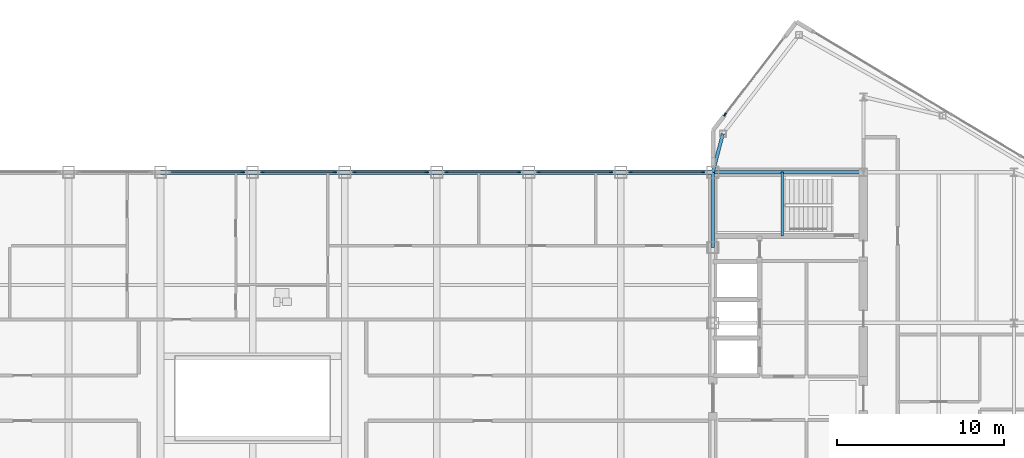
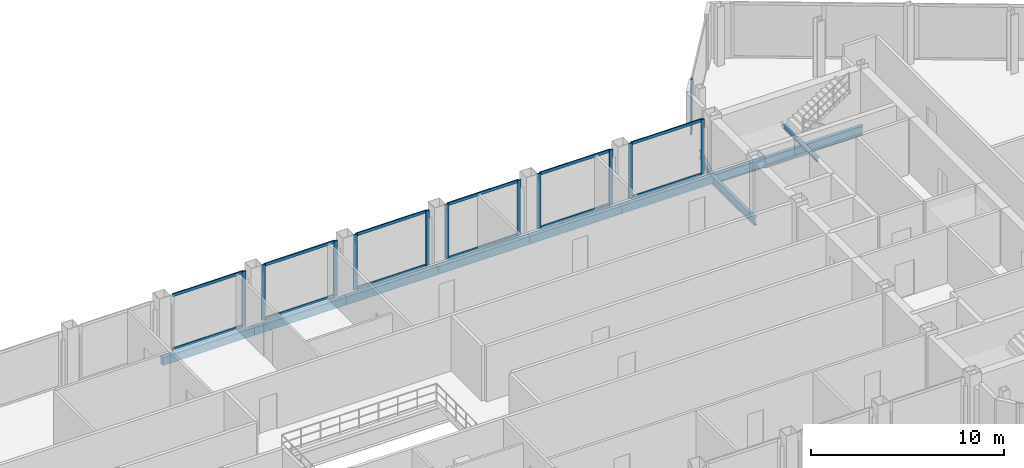
# One storey, part 16 of 28: 24 members, 10 beams, 7 elements without a shape of their own.
"""IFC4 building model written with IfcOpenShell, lengths in metres."""

from ifc_helpers import new_model, si_unit, direction, frame, origin, origin_2d, place, context, subcontext, project, spatial, rectangle, hollow_rectangle, i_section, extrude, source, transform, mapped, material, layer, layer_set, material_profile, profile_set, type_object, type_shapes, element, aggregate, save


model = new_model("IFC4")

# Units and contexts
model_context = context("Model", 3, precision=1e-05, world=origin(), true_north=direction((0.0, 1.0)))
body_context = subcontext(model_context, "Body", "Model", "MODEL_VIEW")
ifc_project = project(units=[si_unit("LENGTHUNIT", "METRE"), si_unit("AREAUNIT", "SQUARE_METRE"), si_unit("VOLUMEUNIT", "CUBIC_METRE"), si_unit("PLANEANGLEUNIT", "RADIAN"), si_unit("MASSUNIT", "GRAM", prefix="KILO")], contexts=[model_context])

# Site, building, storey
site_placement = place(None, origin())
site = spatial("IfcSite", under=ifc_project, at=site_placement, CompositionType="ELEMENT")
building_placement = place(site_placement, origin())
building = spatial("IfcBuilding", under=site, at=building_placement, Name="Seokmaru Belvedere", CompositionType="ELEMENT")
storey_placement = place(building_placement, frame((0.0, 0.0, 265.64990234375)))
storey = spatial("IfcBuildingStorey", under=building, at=storey_placement, Name="L70", CompositionType="ELEMENT", Elevation=265.64990234375)

# Beams
ifc_material_1 = material(Name="Steel SM355 (355 MPa)", Category="steel")
ifc_material_profile_1 = material_profile(ifc_material_1, i_section(OverallWidth=0.199951171875, OverallDepth=0.5, WebThickness=0.010009765625, FlangeThickness=0.01611328125, at=origin_2d()), Name="H-500x200x10x16")
ifc_profile_set_1 = profile_set([ifc_material_profile_1], Name="Steel SM355 (355 MPa)")
beam_type_1 = type_object("IfcBeamType", Name="Perimeter Spandrel Beam H-500", PredefinedType="SPANDREL", material=ifc_profile_set_1)
shared_shape_1 = source(origin(), body_context, "Body", "SweptSolid", [
    extrude(i_section(OverallWidth=0.199951171875, OverallDepth=0.5, WebThickness=0.010009765625, FlangeThickness=0.01611328125, at=origin_2d()), origin(), (0.0, 0.0, 1.0), 4.5),
])
beam_1_placement = place(storey_placement, frame((27.5, 9.0, -0.469970703125), z_axis=(0.0, 1.0, 0.0), x_axis=(-1.0, 0.0, 0.0)))
element("IfcBeam", 1, at=beam_1_placement, inside=storey, type_object=beam_type_1, Name="L70 E Portal Spine Spandrel 5", PredefinedType="SPANDREL", context=body_context, shape_type="MappedRepresentation", body=[
    mapped(shared_shape_1, transform((0.0, 0.0, 0.0), scale=1.0)),
])
ifc_material_profile_2 = material_profile(ifc_material_1, i_section(OverallWidth=0.199951171875, OverallDepth=0.60009765625, WebThickness=0.010986328125, FlangeThickness=0.01708984375, at=origin_2d()), Name="H-600x200x11x17")
ifc_profile_set_2 = profile_set([ifc_material_profile_2], Name="Steel SM355 (355 MPa)")
beam_type_2 = type_object("IfcBeamType", Name="Primary Floor Girder H-600", PredefinedType="BEAM", material=ifc_profile_set_2)
shared_shape_2 = source(origin(), body_context, "Body", "SweptSolid", [
    extrude(i_section(OverallWidth=0.199951171875, OverallDepth=0.60009765625, WebThickness=0.010986328125, FlangeThickness=0.01708984375, at=origin_2d()), origin(), (0.0, 0.0, 1.0), 9.0),
])
type_shapes(beam_type_2, [shared_shape_2])
beam_2_placement = place(storey_placement, frame((27.5, 13.5, -0.52001953125), z_axis=(1.0, 0.0, 0.0), x_axis=(0.0, 1.0, 0.0)))
element("IfcBeam", 2, at=beam_2_placement, inside=storey, type_object=beam_type_2, Name="L70 E Core Tie Girder 4", PredefinedType="BEAM", context=body_context, shape_type="MappedRepresentation", body=[
    mapped(shared_shape_2, transform((0.0, 0.0, 0.0), scale=1.0)),
])
shared_shape_3 = source(origin(), body_context, "Body", "SweptSolid", [
    extrude(i_section(OverallWidth=0.199951171875, OverallDepth=0.5, WebThickness=0.010009765625, FlangeThickness=0.01611328125, at=origin_2d()), origin(), (0.0, 0.0, 1.0), 2.373046875),
])
type_shapes(beam_type_1, [shared_shape_1, shared_shape_3])
beam_3_placement = place(storey_placement, frame((28.10009765625, 15.7958984375, -0.469970703125), z_axis=(-0.252882558842, -0.967496982648, 0.0), x_axis=(0.967496982648, -0.252882558842, 0.0)))
element("IfcBeam", 3, at=beam_3_placement, inside=storey, type_object=beam_type_1, Name="L70 E Shoulder Spine Spandrel N", PredefinedType="SPANDREL", context=body_context, shape_type="MappedRepresentation", body=[
    mapped(shared_shape_3, transform((0.0, 0.0, 0.0), scale=1.0)),
])
ifc_material_profile_3 = material_profile(ifc_material_1, hollow_rectangle(XDim=0.25, YDim=0.5, WallThickness=0.013916015625, at=origin_2d()), Name="RHS-500x250x14")
ifc_profile_set_3 = profile_set([ifc_material_profile_3], Name="Steel SM355 (355 MPa)")
beam_type_3 = type_object("IfcBeamType", Name="Bridge Edge Spandrel RHS-500", PredefinedType="SPANDREL", material=ifc_profile_set_3)
shared_shape_4 = source(origin(), body_context, "Body", "SweptSolid", [
    extrude(hollow_rectangle(XDim=0.25, YDim=0.5, WallThickness=0.013916015625, at=origin_2d()), origin(), (0.0, 0.0, 1.0), 5.5),
])
type_shapes(beam_type_3, [shared_shape_4])
for number, where, z_axis, x_axis, name in (
    (4, (-5.5, 13.5, -0.469970703125), (1.0, 0.0, 0.0), (0.0, 1.0, 0.0), "L70 Sky-Gate Bridge Edge Girder N-05"),
    (5, (0.0, 13.5, -0.469970703125), (1.0, 0.0, 0.0), (0.0, 1.0, 0.0), "L70 Sky-Gate Bridge Edge Girder N-06"),
    (6, (5.5, 13.5, -0.469970703125), (1.0, 0.0, 0.0), (0.0, 1.0, 0.0), "L70 Sky-Gate Bridge Edge Girder N-07"),
    (7, (11.0, 13.5, -0.469970703125), (1.0, 0.0, 0.0), (0.0, 1.0, 0.0), "L70 Sky-Gate Bridge Edge Girder N-08"),
    (8, (16.5, 13.5, -0.469970703125), (1.0, 0.0, 0.0), (0.0, 1.0, 0.0), "L70 Sky-Gate Bridge Edge Girder N-09"),
    (9, (22.0, 13.5, -0.469970703125), (1.0, 0.0, 0.0), (0.0, 1.0, 0.0), "L70 Sky-Gate Bridge Edge Girder N-10"),
):
    element("IfcBeam", number, at=place(storey_placement, frame(where, z_axis=z_axis, x_axis=x_axis)), inside=storey, type_object=beam_type_3, Name=name, PredefinedType="SPANDREL", context=body_context, shape_type="MappedRepresentation", body=[
        mapped(shared_shape_4, transform((0.0, 0.0, 0.0), scale=1.0)),
    ])

# Curtain wall, members
ifc_material_2 = material(Name="Bronze Triple Insulating Glass", Category="glass")
ifc_layer = layer(ifc_material_2, 0.219970703125)
ifc_layer_set = layer_set([ifc_layer], Name="Bronze Triple Insulating Glass")
curtain_wall_type = type_object("IfcCurtainWallType", Name="Sky-Gate Bridge Panorama Curtain Wall System CW-6", PredefinedType="NOTDEFINED", material=ifc_layer_set)
curtain_wall_1_placement = place(storey_placement, origin())
curtain_wall_1 = element("IfcCurtainWall", 10, at=curtain_wall_1_placement, inside=storey, type_object=curtain_wall_type, Name="L70 Curtain Wall BR_N05", PredefinedType="NOTDEFINED")
ifc_material_3 = material(Name="Anodised Bronze Aluminium", Category="aluminium")
ifc_material_profile_4 = material_profile(ifc_material_3, rectangle(XDim=0.074951171875, YDim=0.179931640625, at=origin_2d()), Name="CW-T-75x180")
ifc_profile_set_4 = profile_set([ifc_material_profile_4], Name="Anodised Bronze Aluminium")
member_type_1 = type_object("IfcMemberType", Name="Bronze Unitised Transom 75x180", PredefinedType="USERDEFINED", material=ifc_profile_set_4)
shared_shape_5 = source(origin(), body_context, "Body", "SweptSolid", [
    extrude(rectangle(XDim=0.074951171875, YDim=0.179931640625, at=origin_2d()), origin(), (0.0, 0.0, 1.0), 4.240234375),
])
type_shapes(member_type_1, [shared_shape_5])
member_1_placement = place(storey_placement, frame((-0.6298828125, 13.5, 0.03759765625), z_axis=(-1.0, 0.0, 0.0), x_axis=(0.0, -1.0, 0.0)))
member_1 = element("IfcMember", 11, at=member_1_placement, type_object=member_type_1, Name="CW:L70:BR_N05 Continuous Transom 1", ObjectType="TRANSOM", PredefinedType="USERDEFINED", context=body_context, shape_type="MappedRepresentation", body=[
    mapped(shared_shape_5, transform((0.0, 0.0, 0.0), scale=1.0)),
])
member_2_placement = place(storey_placement, frame((-0.6298828125, 13.5, 3.45263671875), z_axis=(-1.0, 0.0, 0.0), x_axis=(0.0, -1.0, 0.0)))
member_2 = element("IfcMember", 12, at=member_2_placement, type_object=member_type_1, Name="CW:L70:BR_N05 Continuous Transom 2", ObjectType="TRANSOM", PredefinedType="USERDEFINED", context=body_context, shape_type="MappedRepresentation", body=[
    mapped(shared_shape_5, transform((0.0, 0.0, 0.0), scale=1.0)),
])

curtain_wall_2_placement = place(storey_placement, origin())
curtain_wall_2 = element("IfcCurtainWall", 13, at=curtain_wall_2_placement, inside=storey, type_object=curtain_wall_type, Name="L70 Curtain Wall BR_N06", PredefinedType="NOTDEFINED")
member_3_placement = place(storey_placement, frame((4.8701171875, 13.5, 0.03759765625), z_axis=(-1.0, 0.0, 0.0), x_axis=(0.0, -1.0, 0.0)))
member_3 = element("IfcMember", 14, at=member_3_placement, type_object=member_type_1, Name="CW:L70:BR_N06 Continuous Transom 1", ObjectType="TRANSOM", PredefinedType="USERDEFINED", context=body_context, shape_type="MappedRepresentation", body=[
    mapped(shared_shape_5, transform((0.0, 0.0, 0.0), scale=1.0)),
])
member_4_placement = place(storey_placement, frame((4.8701171875, 13.5, 3.45263671875), z_axis=(-1.0, 0.0, 0.0), x_axis=(0.0, -1.0, 0.0)))
member_4 = element("IfcMember", 15, at=member_4_placement, type_object=member_type_1, Name="CW:L70:BR_N06 Continuous Transom 2", ObjectType="TRANSOM", PredefinedType="USERDEFINED", context=body_context, shape_type="MappedRepresentation", body=[
    mapped(shared_shape_5, transform((0.0, 0.0, 0.0), scale=1.0)),
])

curtain_wall_3_placement = place(storey_placement, origin())
curtain_wall_3 = element("IfcCurtainWall", 16, at=curtain_wall_3_placement, inside=storey, type_object=curtain_wall_type, Name="L70 Curtain Wall BR_N07", PredefinedType="NOTDEFINED")
member_5_placement = place(storey_placement, frame((10.3701171875, 13.5, 0.03759765625), z_axis=(-1.0, 0.0, 0.0), x_axis=(0.0, -1.0, 0.0)))
member_5 = element("IfcMember", 17, at=member_5_placement, type_object=member_type_1, Name="CW:L70:BR_N07 Continuous Transom 1", ObjectType="TRANSOM", PredefinedType="USERDEFINED", context=body_context, shape_type="MappedRepresentation", body=[
    mapped(shared_shape_5, transform((0.0, 0.0, 0.0), scale=1.0)),
])
member_6_placement = place(storey_placement, frame((10.3701171875, 13.5, 3.45263671875), z_axis=(-1.0, 0.0, 0.0), x_axis=(0.0, -1.0, 0.0)))
member_6 = element("IfcMember", 18, at=member_6_placement, type_object=member_type_1, Name="CW:L70:BR_N07 Continuous Transom 2", ObjectType="TRANSOM", PredefinedType="USERDEFINED", context=body_context, shape_type="MappedRepresentation", body=[
    mapped(shared_shape_5, transform((0.0, 0.0, 0.0), scale=1.0)),
])

curtain_wall_4_placement = place(storey_placement, origin())
curtain_wall_4 = element("IfcCurtainWall", 19, at=curtain_wall_4_placement, inside=storey, type_object=curtain_wall_type, Name="L70 Curtain Wall BR_N08", PredefinedType="NOTDEFINED")
member_7_placement = place(storey_placement, frame((15.8701171875, 13.5, 0.03759765625), z_axis=(-1.0, 0.0, 0.0), x_axis=(0.0, -1.0, 0.0)))
member_7 = element("IfcMember", 20, at=member_7_placement, type_object=member_type_1, Name="CW:L70:BR_N08 Continuous Transom 1", ObjectType="TRANSOM", PredefinedType="USERDEFINED", context=body_context, shape_type="MappedRepresentation", body=[
    mapped(shared_shape_5, transform((0.0, 0.0, 0.0), scale=1.0)),
])
member_8_placement = place(storey_placement, frame((15.8701171875, 13.5, 3.45263671875), z_axis=(-1.0, 0.0, 0.0), x_axis=(0.0, -1.0, 0.0)))
member_8 = element("IfcMember", 21, at=member_8_placement, type_object=member_type_1, Name="CW:L70:BR_N08 Continuous Transom 2", ObjectType="TRANSOM", PredefinedType="USERDEFINED", context=body_context, shape_type="MappedRepresentation", body=[
    mapped(shared_shape_5, transform((0.0, 0.0, 0.0), scale=1.0)),
])

curtain_wall_5_placement = place(storey_placement, origin())
curtain_wall_5 = element("IfcCurtainWall", 22, at=curtain_wall_5_placement, inside=storey, type_object=curtain_wall_type, Name="L70 Curtain Wall BR_N09", PredefinedType="NOTDEFINED")
member_9_placement = place(storey_placement, frame((21.3701171875, 13.5, 0.03759765625), z_axis=(-1.0, 0.0, 0.0), x_axis=(0.0, -1.0, 0.0)))
member_9 = element("IfcMember", 23, at=member_9_placement, type_object=member_type_1, Name="CW:L70:BR_N09 Continuous Transom 1", ObjectType="TRANSOM", PredefinedType="USERDEFINED", context=body_context, shape_type="MappedRepresentation", body=[
    mapped(shared_shape_5, transform((0.0, 0.0, 0.0), scale=1.0)),
])
member_10_placement = place(storey_placement, frame((21.3701171875, 13.5, 3.45263671875), z_axis=(-1.0, 0.0, 0.0), x_axis=(0.0, -1.0, 0.0)))
member_10 = element("IfcMember", 24, at=member_10_placement, type_object=member_type_1, Name="CW:L70:BR_N09 Continuous Transom 2", ObjectType="TRANSOM", PredefinedType="USERDEFINED", context=body_context, shape_type="MappedRepresentation", body=[
    mapped(shared_shape_5, transform((0.0, 0.0, 0.0), scale=1.0)),
])

curtain_wall_6_placement = place(storey_placement, origin())
curtain_wall_6 = element("IfcCurtainWall", 25, at=curtain_wall_6_placement, inside=storey, type_object=curtain_wall_type, Name="L70 Curtain Wall BR_N10", PredefinedType="NOTDEFINED")
member_11_placement = place(storey_placement, frame((26.8701171875, 13.5, 0.03759765625), z_axis=(-1.0, 0.0, 0.0), x_axis=(0.0, -1.0, 0.0)))
member_11 = element("IfcMember", 26, at=member_11_placement, type_object=member_type_1, Name="CW:L70:BR_N10 Continuous Transom 1", ObjectType="TRANSOM", PredefinedType="USERDEFINED", context=body_context, shape_type="MappedRepresentation", body=[
    mapped(shared_shape_5, transform((0.0, 0.0, 0.0), scale=1.0)),
])
member_12_placement = place(storey_placement, frame((26.8701171875, 13.5, 3.45263671875), z_axis=(-1.0, 0.0, 0.0), x_axis=(0.0, -1.0, 0.0)))
member_12 = element("IfcMember", 27, at=member_12_placement, type_object=member_type_1, Name="CW:L70:BR_N10 Continuous Transom 2", ObjectType="TRANSOM", PredefinedType="USERDEFINED", context=body_context, shape_type="MappedRepresentation", body=[
    mapped(shared_shape_5, transform((0.0, 0.0, 0.0), scale=1.0)),
])

# Curtain wall, member
curtain_wall_7_placement = place(storey_placement, origin())
curtain_wall_7 = element("IfcCurtainWall", 28, at=curtain_wall_7_placement, inside=storey, type_object=curtain_wall_type, Name="L70 Curtain Wall EF4", PredefinedType="NOTDEFINED")
ifc_material_profile_5 = material_profile(ifc_material_3, rectangle(XDim=0.080078125, YDim=0.219970703125, at=origin_2d()), Name="CW-M-80x220")
ifc_profile_set_5 = profile_set([ifc_material_profile_5], Name="Anodised Bronze Aluminium")
member_type_2 = type_object("IfcMemberType", Name="Bronze Unitised Mullion 80x220", PredefinedType="MULLION", material=ifc_profile_set_5)
shared_shape_6 = source(origin(), body_context, "Body", "SweptSolid", [
    extrude(rectangle(XDim=0.080078125, YDim=0.219970703125, at=origin_2d()), origin(), (0.0, 0.0, 1.0), 3.489990234375),
])
type_shapes(member_type_2, [shared_shape_6])
member_13_placement = place(storey_placement, frame((28.2255859375, 16.943115234375, 0.0), z_axis=(0.0, 0.0, 1.0), x_axis=(0.792631353244, -0.609701187349, 0.0)))
member_13 = element("IfcMember", 29, at=member_13_placement, type_object=member_type_2, Name="CW:L70:EF4 Mullion 2", PredefinedType="MULLION", context=body_context, shape_type="MappedRepresentation", body=[
    mapped(shared_shape_6, transform((0.0, 0.0, 0.0), scale=1.0)),
])
aggregate(curtain_wall_7, [member_13])

# Member
member_14_placement = place(storey_placement, frame((-0.590087890625, 13.5, 0.0), z_axis=(0.0, 0.0, 1.0), x_axis=(0.0, -1.0, 0.0)))
member_14 = element("IfcMember", 30, at=member_14_placement, type_object=member_type_2, Name="CW:L70:BR_N05 Mullion 1", PredefinedType="MULLION", context=body_context, shape_type="MappedRepresentation", body=[
    mapped(shared_shape_6, transform((0.0, 0.0, 0.0), scale=1.0)),
])

aggregate(curtain_wall_1, [member_14, member_1, member_2])

member_15_placement = place(storey_placement, frame((4.909912109375, 13.5, 0.0), z_axis=(0.0, 0.0, 1.0), x_axis=(0.0, -1.0, 0.0)))
member_15 = element("IfcMember", 31, at=member_15_placement, type_object=member_type_2, Name="CW:L70:BR_N06 Mullion 1", PredefinedType="MULLION", context=body_context, shape_type="MappedRepresentation", body=[
    mapped(shared_shape_6, transform((0.0, 0.0, 0.0), scale=1.0)),
])

member_16_placement = place(storey_placement, frame((0.590087890625, 13.5, 0.0), z_axis=(0.0, 0.0, 1.0), x_axis=(0.0, -1.0, 0.0)))
member_16 = element("IfcMember", 32, at=member_16_placement, type_object=member_type_2, Name="CW:L70:BR_N06 Mullion 2", PredefinedType="MULLION", context=body_context, shape_type="MappedRepresentation", body=[
    mapped(shared_shape_6, transform((0.0, 0.0, 0.0), scale=1.0)),
])

aggregate(curtain_wall_2, [member_15, member_16, member_3, member_4])

member_17_placement = place(storey_placement, frame((10.409912109375, 13.5, 0.0), z_axis=(0.0, 0.0, 1.0), x_axis=(0.0, -1.0, 0.0)))
member_17 = element("IfcMember", 33, at=member_17_placement, type_object=member_type_2, Name="CW:L70:BR_N07 Mullion 1", PredefinedType="MULLION", context=body_context, shape_type="MappedRepresentation", body=[
    mapped(shared_shape_6, transform((0.0, 0.0, 0.0), scale=1.0)),
])

member_18_placement = place(storey_placement, frame((6.090087890625, 13.5, 0.0), z_axis=(0.0, 0.0, 1.0), x_axis=(0.0, -1.0, 0.0)))
member_18 = element("IfcMember", 34, at=member_18_placement, type_object=member_type_2, Name="CW:L70:BR_N07 Mullion 2", PredefinedType="MULLION", context=body_context, shape_type="MappedRepresentation", body=[
    mapped(shared_shape_6, transform((0.0, 0.0, 0.0), scale=1.0)),
])

aggregate(curtain_wall_3, [member_17, member_18, member_5, member_6])

member_19_placement = place(storey_placement, frame((15.909912109375, 13.5, 0.0), z_axis=(0.0, 0.0, 1.0), x_axis=(0.0, -1.0, 0.0)))
member_19 = element("IfcMember", 35, at=member_19_placement, type_object=member_type_2, Name="CW:L70:BR_N08 Mullion 1", PredefinedType="MULLION", context=body_context, shape_type="MappedRepresentation", body=[
    mapped(shared_shape_6, transform((0.0, 0.0, 0.0), scale=1.0)),
])

member_20_placement = place(storey_placement, frame((11.590087890625, 13.5, 0.0), z_axis=(0.0, 0.0, 1.0), x_axis=(0.0, -1.0, 0.0)))
member_20 = element("IfcMember", 36, at=member_20_placement, type_object=member_type_2, Name="CW:L70:BR_N08 Mullion 2", PredefinedType="MULLION", context=body_context, shape_type="MappedRepresentation", body=[
    mapped(shared_shape_6, transform((0.0, 0.0, 0.0), scale=1.0)),
])

aggregate(curtain_wall_4, [member_19, member_20, member_7, member_8])

member_21_placement = place(storey_placement, frame((21.409912109375, 13.5, 0.0), z_axis=(0.0, 0.0, 1.0), x_axis=(0.0, -1.0, 0.0)))
member_21 = element("IfcMember", 37, at=member_21_placement, type_object=member_type_2, Name="CW:L70:BR_N09 Mullion 1", PredefinedType="MULLION", context=body_context, shape_type="MappedRepresentation", body=[
    mapped(shared_shape_6, transform((0.0, 0.0, 0.0), scale=1.0)),
])

member_22_placement = place(storey_placement, frame((17.090087890625, 13.5, 0.0), z_axis=(0.0, 0.0, 1.0), x_axis=(0.0, -1.0, 0.0)))
member_22 = element("IfcMember", 38, at=member_22_placement, type_object=member_type_2, Name="CW:L70:BR_N09 Mullion 2", PredefinedType="MULLION", context=body_context, shape_type="MappedRepresentation", body=[
    mapped(shared_shape_6, transform((0.0, 0.0, 0.0), scale=1.0)),
])

aggregate(curtain_wall_5, [member_21, member_22, member_9, member_10])

member_23_placement = place(storey_placement, frame((26.909912109375, 13.5, 0.0), z_axis=(0.0, 0.0, 1.0), x_axis=(0.0, -1.0, 0.0)))
member_23 = element("IfcMember", 39, at=member_23_placement, type_object=member_type_2, Name="CW:L70:BR_N10 Mullion 1", PredefinedType="MULLION", context=body_context, shape_type="MappedRepresentation", body=[
    mapped(shared_shape_6, transform((0.0, 0.0, 0.0), scale=1.0)),
])

member_24_placement = place(storey_placement, frame((22.590087890625, 13.5, 0.0), z_axis=(0.0, 0.0, 1.0), x_axis=(0.0, -1.0, 0.0)))
member_24 = element("IfcMember", 40, at=member_24_placement, type_object=member_type_2, Name="CW:L70:BR_N10 Mullion 2", PredefinedType="MULLION", context=body_context, shape_type="MappedRepresentation", body=[
    mapped(shared_shape_6, transform((0.0, 0.0, 0.0), scale=1.0)),
])

aggregate(curtain_wall_6, [member_23, member_24, member_11, member_12])

# Beam
ifc_material_profile_6 = material_profile(ifc_material_1, i_section(OverallWidth=0.125, OverallDepth=0.25, WebThickness=0.006103515625, FlangeThickness=0.009033203125, at=origin_2d()), Name="H-250x125x6x9")
ifc_profile_set_6 = profile_set([ifc_material_profile_6], Name="Steel SM355 (355 MPa)")
beam_type_4 = type_object("IfcBeamType", Name="Stair Mid-Landing Support Beam H-250", PredefinedType="JOIST", material=ifc_profile_set_6)
shared_shape_7 = source(origin(), body_context, "Body", "SweptSolid", [
    extrude(i_section(OverallWidth=0.125, OverallDepth=0.25, WebThickness=0.006103515625, FlangeThickness=0.009033203125, at=origin_2d()), origin(), (0.0, 0.0, 1.0), 3.800048828125),
])
type_shapes(beam_type_4, [shared_shape_7])
beam_4_placement = place(storey_placement, frame((31.64990234375, 9.699951171875, 1.550048828125), z_axis=(0.0, 1.0, 0.0), x_axis=(-1.0, 0.0, 0.0)))
element("IfcBeam", 41, at=beam_4_placement, inside=storey, type_object=beam_type_4, Name="L70 Stair ST-E2 Mid-Landing Support Beam 1", PredefinedType="JOIST", context=body_context, shape_type="MappedRepresentation", body=[
    mapped(shared_shape_7, transform((0.0, 0.0, 0.0), scale=1.0)),
])

save(model, "model.ifc")
